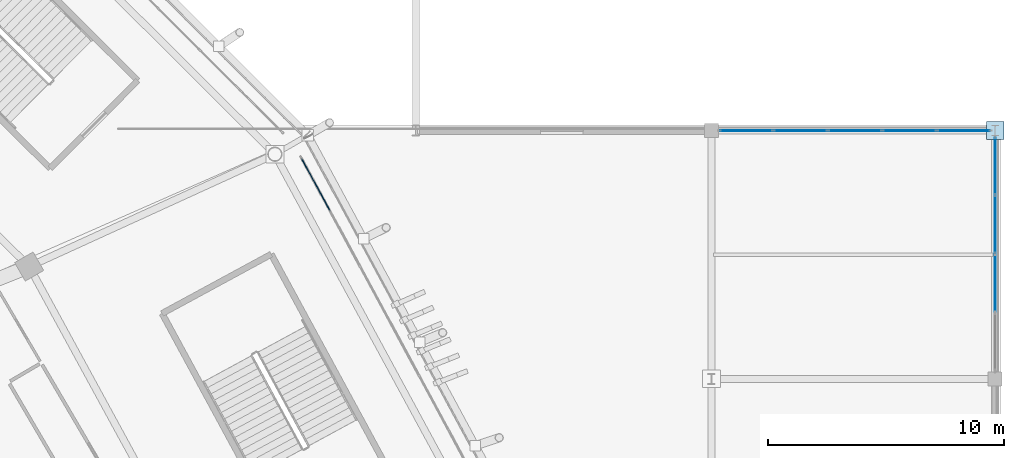
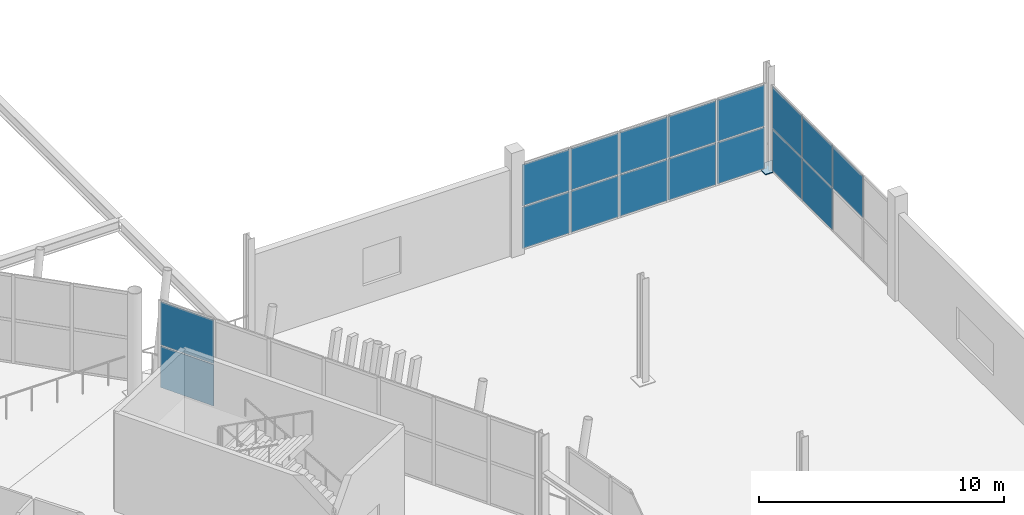
# One storey, part 99 of 178: 18 plates, 3 elements without a shape of their own.
"""IFC4 building model written with IfcOpenShell, lengths in metres."""

from ifc_helpers import new_model, si_unit, direction, frame, origin, origin_2d, place, context, subcontext, project, spatial, rectangle, extrude, material, layer, layer_set, type_object, element, aggregate, save


model = new_model("IFC4")

# Units and contexts
model_context = context("Model", 3, precision=1e-05, world=origin(), true_north=direction((0.0, 1.0)))
body_context = subcontext(model_context, "Body", "Model", "MODEL_VIEW")
ifc_project = project(units=[si_unit("LENGTHUNIT", "METRE"), si_unit("AREAUNIT", "SQUARE_METRE"), si_unit("VOLUMEUNIT", "CUBIC_METRE"), si_unit("PLANEANGLEUNIT", "RADIAN"), si_unit("MASSUNIT", "GRAM", prefix="KILO")], contexts=[model_context])

# Site, building, storey
site_placement = place(None, origin())
site = spatial("IfcSite", under=ifc_project, at=site_placement, CompositionType="ELEMENT")
building_placement = place(site_placement, origin())
building = spatial("IfcBuilding", under=site, at=building_placement, Name="Zlatoyarsky Gate Stadium", CompositionType="ELEMENT")
storey_placement = place(building_placement, frame((0.0, 0.0, 5.39990234375)))
storey = spatial("IfcBuildingStorey", under=building, at=storey_placement, Name="L01", CompositionType="ELEMENT", Elevation=5.39990234375)

# Plate
ifc_material_1 = material(Name="Steel S355", Category="steel")
ifc_layer_1 = layer(ifc_material_1, 0.0400390625)
ifc_layer_set_1 = layer_set([ifc_layer_1], Name="Steel S355")
plate_type_1 = type_object("IfcPlateType", Name="STEEL COLUMN BASE PLATE 40", PredefinedType="USERDEFINED", material=ifc_layer_set_1)
plate_1_placement = place(storey_placement, frame((222.0, 116.5, 0.0), z_axis=(0.0, 0.0, 1.0), x_axis=(1.0, 0.0, 0.0)))
element("IfcPlate", 1, at=plate_1_placement, inside=storey, type_object=plate_type_1, Name="Column base plate BP-01 at WG-19-L L01", ObjectType="BASE PLATE", PredefinedType="USERDEFINED", context=body_context, shape_type="SweptSolid", body=[
    extrude(rectangle(XDim=0.75, YDim=0.75, at=origin_2d()), origin(), (0.0, 0.0, 1.0), 0.0400390625),
])

# Curtain wall, plates
ifc_material_2 = material(Name="Thermally broken anodised aluminium curtain wall", Category="aluminium")
curtain_wall_type_1 = type_object("IfcCurtainWallType", Name="UNITISED HOSPITALITY GLAZING L01", PredefinedType="USERDEFINED", material=ifc_material_2)
curtain_wall_1_placement = place(storey_placement, origin())
curtain_wall_1 = element("IfcCurtainWall", 2, at=curtain_wall_1_placement, inside=storey, type_object=curtain_wall_type_1, Name="Curtain wall CW-L01-01", ObjectType="UNITISED GLAZING", PredefinedType="USERDEFINED")
ifc_material_3 = material(Name="Triple-glazed argon low-e architectural glass", Category="glass")
ifc_layer_2 = layer(ifc_material_3, 0.0380859375)
ifc_layer_set_2 = layer_set([ifc_layer_2], Name="Triple-glazed argon low-e architectural glass")
plate_type_2 = type_object("IfcPlateType", Name="TRIPLE GLAZED LOW E CURTAIN PANEL 38", PredefinedType="CURTAIN_PANEL", material=ifc_layer_set_2)
plate_2_placement = place(storey_placement, frame((193.27001953125, 114.211181640625, 0.06494140625), z_axis=(0.0, 0.0, 1.0), x_axis=(-0.475784225682, 0.879562033396, 0.0)))
plate_2 = element("IfcPlate", 3, at=plate_2_placement, type_object=plate_type_2, Name="CW-UG1 panel 7.1", PredefinedType="CURTAIN_PANEL", context=body_context, shape_type="SweptSolid", body=[
    extrude(rectangle(XDim=2.53369140625, YDim=0.0380859375, at=origin_2d()), origin(), (0.0, 0.0, 1.0), 2.052490234375),
])
plate_3_placement = place(storey_placement, frame((193.27001953125, 114.211181640625, 2.1826171875), z_axis=(0.0, 0.0, 1.0), x_axis=(-0.475784225682, 0.879562033396, 0.0)))
plate_3 = element("IfcPlate", 4, at=plate_3_placement, type_object=plate_type_2, Name="CW-UG1 panel 7.2", PredefinedType="CURTAIN_PANEL", context=body_context, shape_type="SweptSolid", body=[
    extrude(rectangle(XDim=2.53369140625, YDim=0.0380859375, at=origin_2d()), origin(), (0.0, 0.0, 1.0), 2.152587890625),
])
aggregate(curtain_wall_1, [plate_2, plate_3])

curtain_wall_type_2 = type_object("IfcCurtainWallType", Name="WINTER GARDEN CONSERVATORY GLAZING", PredefinedType="USERDEFINED", material=ifc_material_2)
curtain_wall_2_placement = place(storey_placement, origin())
curtain_wall_2 = element("IfcCurtainWall", 5, at=curtain_wall_2_placement, inside=storey, type_object=curtain_wall_type_2, Name="Curtain wall CW-V5_EAST-L01-182", ObjectType="UNITISED GLAZING", PredefinedType="USERDEFINED")
plate_4_placement = place(storey_placement, frame((222.0, 110.043701171875, 2.1826171875), z_axis=(0.0, 0.0, 1.0), x_axis=(0.0, 1.0, 0.0)))
plate_4 = element("IfcPlate", 6, at=plate_4_placement, type_object=plate_type_2, Name="CW-WG1 panel 2.2", PredefinedType="CURTAIN_PANEL", context=body_context, shape_type="SweptSolid", body=[
    extrude(rectangle(XDim=2.4228515625, YDim=0.0380859375, at=origin_2d()), origin(), (0.0, 0.0, 1.0), 2.052490234375),
])
plate_5_placement = place(storey_placement, frame((222.0, 112.531494140625, 0.06494140625), z_axis=(0.0, 0.0, 1.0), x_axis=(0.0, 1.0, 0.0)))
plate_5 = element("IfcPlate", 7, at=plate_5_placement, type_object=plate_type_2, Name="CW-WG1 panel 3.1", PredefinedType="CURTAIN_PANEL", context=body_context, shape_type="SweptSolid", body=[
    extrude(rectangle(XDim=2.4228515625, YDim=0.0380859375, at=origin_2d()), origin(), (0.0, 0.0, 1.0), 2.052490234375),
])
plate_6_placement = place(storey_placement, frame((222.0, 112.531494140625, 2.1826171875), z_axis=(0.0, 0.0, 1.0), x_axis=(0.0, 1.0, 0.0)))
plate_6 = element("IfcPlate", 8, at=plate_6_placement, type_object=plate_type_2, Name="CW-WG1 panel 3.2", PredefinedType="CURTAIN_PANEL", context=body_context, shape_type="SweptSolid", body=[
    extrude(rectangle(XDim=2.4228515625, YDim=0.0380859375, at=origin_2d()), origin(), (0.0, 0.0, 1.0), 2.052490234375),
])
plate_7_placement = place(storey_placement, frame((222.0, 115.0029296875, 0.06494140625), z_axis=(0.0, 0.0, 1.0), x_axis=(0.0, 1.0, 0.0)))
plate_7 = element("IfcPlate", 9, at=plate_7_placement, type_object=plate_type_2, Name="CW-WG1 panel 4.1", PredefinedType="CURTAIN_PANEL", context=body_context, shape_type="SweptSolid", body=[
    extrude(rectangle(XDim=2.39013671875, YDim=0.0380859375, at=origin_2d()), origin(), (0.0, 0.0, 1.0), 2.052490234375),
])
plate_8_placement = place(storey_placement, frame((222.0, 115.0029296875, 2.1826171875), z_axis=(0.0, 0.0, 1.0), x_axis=(0.0, 1.0, 0.0)))
plate_8 = element("IfcPlate", 10, at=plate_8_placement, type_object=plate_type_2, Name="CW-WG1 panel 4.2", PredefinedType="CURTAIN_PANEL", context=body_context, shape_type="SweptSolid", body=[
    extrude(rectangle(XDim=2.39013671875, YDim=0.0380859375, at=origin_2d()), origin(), (0.0, 0.0, 1.0), 2.052490234375),
])
aggregate(curtain_wall_2, [plate_4, plate_5, plate_6, plate_7, plate_8])

curtain_wall_3_placement = place(storey_placement, origin())
curtain_wall_3 = element("IfcCurtainWall", 11, at=curtain_wall_3_placement, inside=storey, type_object=curtain_wall_type_2, Name="Curtain wall CW-V5_EAST-L01-190", ObjectType="UNITISED GLAZING", PredefinedType="USERDEFINED")
plate_9_placement = place(storey_placement, frame((211.48095703125, 116.5, 0.06494140625), z_axis=(0.0, 0.0, 1.0), x_axis=(1.0, 0.0, 0.0)))
plate_9 = element("IfcPlate", 12, at=plate_9_placement, type_object=plate_type_2, Name="CW-WG1 panel 1.1", PredefinedType="CURTAIN_PANEL", context=body_context, shape_type="SweptSolid", body=[
    extrude(rectangle(XDim=2.207763671875, YDim=0.0380859375, at=origin_2d()), origin(), (0.0, 0.0, 1.0), 2.052490234375),
])
plate_10_placement = place(storey_placement, frame((211.48095703125, 116.5, 2.1826171875), z_axis=(0.0, 0.0, 1.0), x_axis=(1.0, 0.0, 0.0)))
plate_10 = element("IfcPlate", 13, at=plate_10_placement, type_object=plate_type_2, Name="CW-WG1 panel 1.2", PredefinedType="CURTAIN_PANEL", context=body_context, shape_type="SweptSolid", body=[
    extrude(rectangle(XDim=2.207763671875, YDim=0.0380859375, at=origin_2d()), origin(), (0.0, 0.0, 1.0), 2.052490234375),
])
plate_11_placement = place(storey_placement, frame((213.769775390625, 116.5, 0.06494140625), z_axis=(0.0, 0.0, 1.0), x_axis=(1.0, 0.0, 0.0)))
plate_11 = element("IfcPlate", 14, at=plate_11_placement, type_object=plate_type_2, Name="CW-WG1 panel 2.1", PredefinedType="CURTAIN_PANEL", context=body_context, shape_type="SweptSolid", body=[
    extrude(rectangle(XDim=2.240234375, YDim=0.0380859375, at=origin_2d()), origin(), (0.0, 0.0, 1.0), 2.052490234375),
])
plate_12_placement = place(storey_placement, frame((213.769775390625, 116.5, 2.1826171875), z_axis=(0.0, 0.0, 1.0), x_axis=(1.0, 0.0, 0.0)))
plate_12 = element("IfcPlate", 15, at=plate_12_placement, type_object=plate_type_2, Name="CW-WG1 panel 2.2", PredefinedType="CURTAIN_PANEL", context=body_context, shape_type="SweptSolid", body=[
    extrude(rectangle(XDim=2.240234375, YDim=0.0380859375, at=origin_2d()), origin(), (0.0, 0.0, 1.0), 2.052490234375),
])
plate_13_placement = place(storey_placement, frame((216.074951171875, 116.5, 0.06494140625), z_axis=(0.0, 0.0, 1.0), x_axis=(1.0, 0.0, 0.0)))
plate_13 = element("IfcPlate", 16, at=plate_13_placement, type_object=plate_type_2, Name="CW-WG1 panel 3.1", PredefinedType="CURTAIN_PANEL", context=body_context, shape_type="SweptSolid", body=[
    extrude(rectangle(XDim=2.240234375, YDim=0.0380859375, at=origin_2d()), origin(), (0.0, 0.0, 1.0), 2.052490234375),
])
plate_14_placement = place(storey_placement, frame((216.074951171875, 116.5, 2.1826171875), z_axis=(0.0, 0.0, 1.0), x_axis=(1.0, 0.0, 0.0)))
plate_14 = element("IfcPlate", 17, at=plate_14_placement, type_object=plate_type_2, Name="CW-WG1 panel 3.2", PredefinedType="CURTAIN_PANEL", context=body_context, shape_type="SweptSolid", body=[
    extrude(rectangle(XDim=2.240234375, YDim=0.0380859375, at=origin_2d()), origin(), (0.0, 0.0, 1.0), 2.052490234375),
])
plate_15_placement = place(storey_placement, frame((218.380126953125, 116.5, 0.06494140625), z_axis=(0.0, 0.0, 1.0), x_axis=(1.0, 0.0, 0.0)))
plate_15 = element("IfcPlate", 18, at=plate_15_placement, type_object=plate_type_2, Name="CW-WG1 panel 4.1", PredefinedType="CURTAIN_PANEL", context=body_context, shape_type="SweptSolid", body=[
    extrude(rectangle(XDim=2.240234375, YDim=0.0380859375, at=origin_2d()), origin(), (0.0, 0.0, 1.0), 2.052490234375),
])
plate_16_placement = place(storey_placement, frame((218.380126953125, 116.5, 2.1826171875), z_axis=(0.0, 0.0, 1.0), x_axis=(1.0, 0.0, 0.0)))
plate_16 = element("IfcPlate", 19, at=plate_16_placement, type_object=plate_type_2, Name="CW-WG1 panel 4.2", PredefinedType="CURTAIN_PANEL", context=body_context, shape_type="SweptSolid", body=[
    extrude(rectangle(XDim=2.240234375, YDim=0.0380859375, at=origin_2d()), origin(), (0.0, 0.0, 1.0), 2.052490234375),
])
plate_17_placement = place(storey_placement, frame((220.669189453125, 116.5, 0.06494140625), z_axis=(0.0, 0.0, 1.0), x_axis=(1.0, 0.0, 0.0)))
plate_17 = element("IfcPlate", 20, at=plate_17_placement, type_object=plate_type_2, Name="CW-WG1 panel 5.1", PredefinedType="CURTAIN_PANEL", context=body_context, shape_type="SweptSolid", body=[
    extrude(rectangle(XDim=2.207763671875, YDim=0.0380859375, at=origin_2d()), origin(), (0.0, 0.0, 1.0), 2.052490234375),
])
plate_18_placement = place(storey_placement, frame((220.669189453125, 116.5, 2.1826171875), z_axis=(0.0, 0.0, 1.0), x_axis=(1.0, 0.0, 0.0)))
plate_18 = element("IfcPlate", 21, at=plate_18_placement, type_object=plate_type_2, Name="CW-WG1 panel 5.2", PredefinedType="CURTAIN_PANEL", context=body_context, shape_type="SweptSolid", body=[
    extrude(rectangle(XDim=2.207763671875, YDim=0.0380859375, at=origin_2d()), origin(), (0.0, 0.0, 1.0), 2.052490234375),
])
aggregate(curtain_wall_3, [plate_9, plate_10, plate_11, plate_12, plate_13, plate_14, plate_15, plate_16, plate_17, plate_18])

save(model, "model.ifc")
